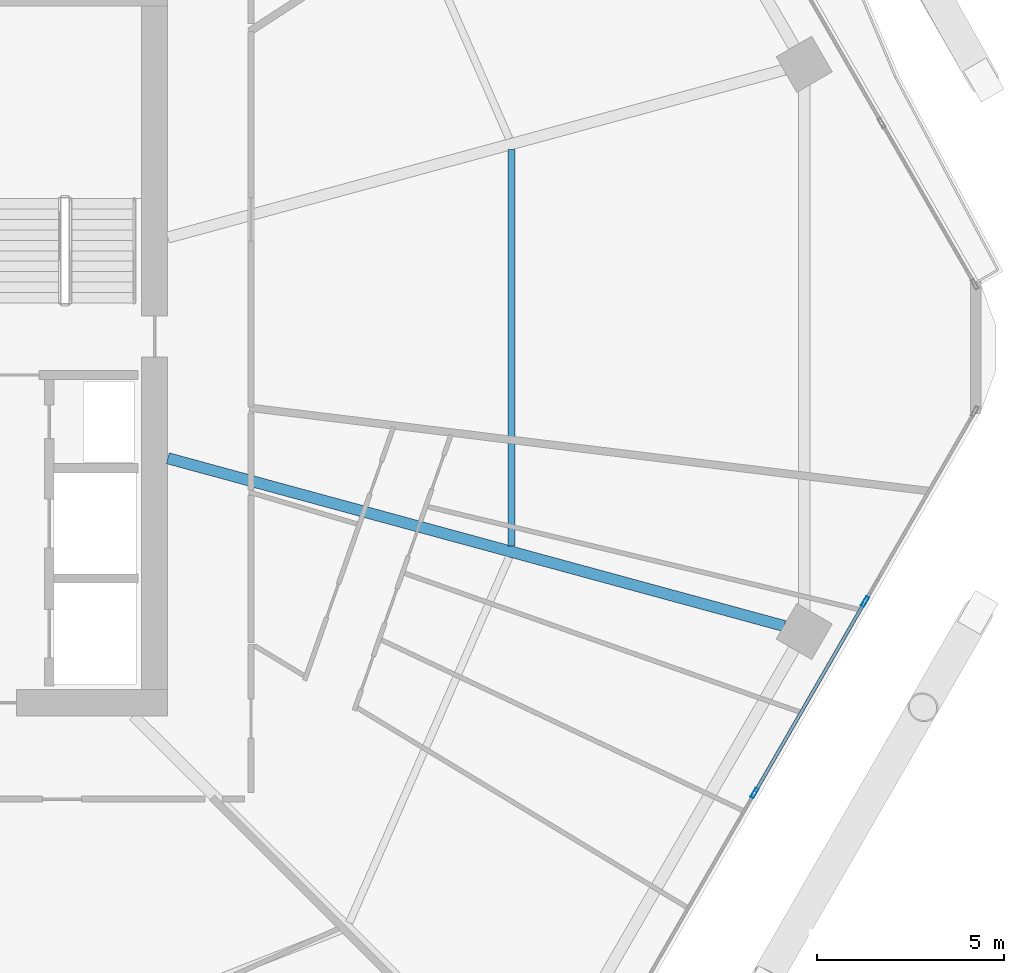
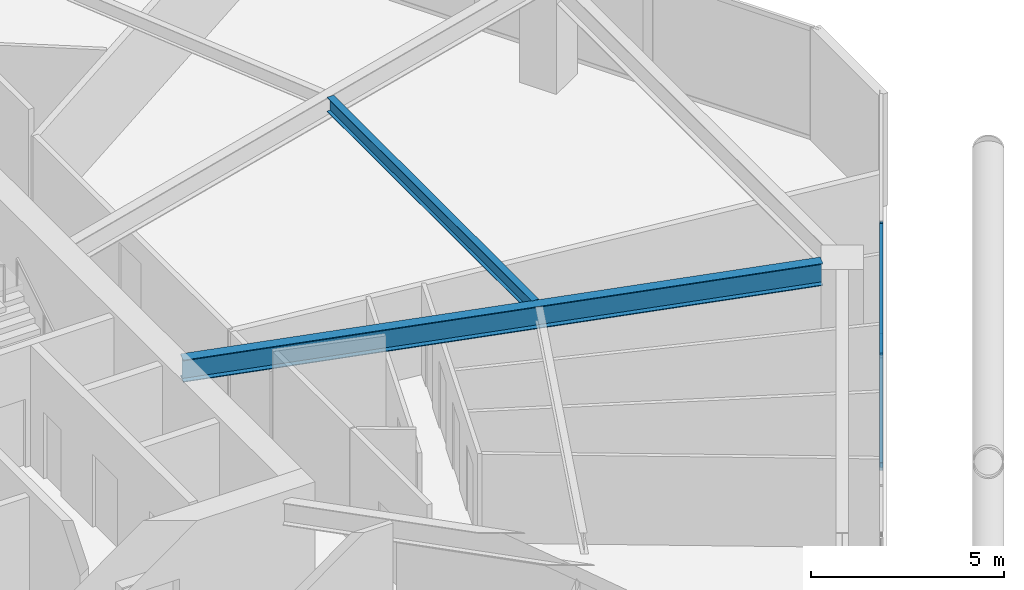
# One storey, part 11 of 35: 4 members, 2 beams, 1 element without a shape of its own.
"""IFC4 building model written with IfcOpenShell, lengths in metres."""

from ifc_helpers import new_model, si_unit, direction, frame, origin, origin_2d, place, context, subcontext, project, spatial, hollow_rectangle, i_section, extrude, material, material_profile, profile_set, type_object, element, aggregate, save


model = new_model("IFC4")

# Units and contexts
model_context = context("Model", 3, precision=1e-05, world=origin(), true_north=direction((0.0, 1.0)))
body_context = subcontext(model_context, "Body", "Model", "MODEL_VIEW")
ifc_project = project(units=[si_unit("LENGTHUNIT", "METRE"), si_unit("AREAUNIT", "SQUARE_METRE"), si_unit("VOLUMEUNIT", "CUBIC_METRE"), si_unit("PLANEANGLEUNIT", "RADIAN"), si_unit("MASSUNIT", "GRAM", prefix="KILO")], contexts=[model_context])

# Site, building, storey
site_placement = place(None, origin())
site = spatial("IfcSite", under=ifc_project, at=site_placement, CompositionType="ELEMENT")
building_placement = place(site_placement, origin())
building = spatial("IfcBuilding", under=site, at=building_placement, Name="Zuhravey Tower", CompositionType="ELEMENT")
storey_placement = place(building_placement, frame((0.0, 0.0, 122.800048828125)))
storey = spatial("IfcBuildingStorey", under=building, at=storey_placement, Name="L30", CompositionType="ELEMENT", Elevation=122.800048828125)

# Curtain wall, members
ifc_material_1 = material(Name="Thermally broken anodised aluminium", Category="aluminium")
curtain_wall_type = type_object("IfcCurtainWallType", Name="Zone 1-2 Residential Curtain Wall CW3", PredefinedType="NOTDEFINED", material=ifc_material_1)
curtain_wall_placement = place(storey_placement, origin())
curtain_wall = element("IfcCurtainWall", 1, at=curtain_wall_placement, inside=storey, type_object=curtain_wall_type, Name="L30 CW3 CW-L30-F6-1", PredefinedType="NOTDEFINED")
ifc_material_2 = material(Name="Anodised aluminium", Category="aluminium")
ifc_material_profile_1 = material_profile(ifc_material_2, hollow_rectangle(XDim=0.090087890625, YDim=0.284912109375, WallThickness=0.0048828125, at=origin_2d()), Name="ALU-RHS-90x285x5")
ifc_profile_set_1 = profile_set([ifc_material_profile_1], Name="Anodised aluminium")
member_type_1 = type_object("IfcMemberType", Name="Curtain-Wall Mullion 90x180", PredefinedType="MULLION", material=ifc_profile_set_1)
member_1_placement = place(storey_placement, frame((65.5185546875, 25.210693359375, 0.0), z_axis=(0.0, 0.0, 1.0), x_axis=(0.86602552265, -0.499999794119, 0.0)))
member_1 = element("IfcMember", 2, at=member_1_placement, type_object=member_type_1, Name="CW3 mullion 2", PredefinedType="MULLION", context=body_context, shape_type="SweptSolid", body=[
    extrude(hollow_rectangle(XDim=0.090087890625, YDim=0.284912109375, WallThickness=0.0048828125, at=origin_2d()), origin(), (0.0, 0.0, 1.0), 3.550048828125),
])
member_2_placement = place(storey_placement, frame((62.55859375, 20.083984375, 0.0), z_axis=(0.0, 0.0, 1.0), x_axis=(0.86602552265, -0.499999794119, 0.0)))
member_2 = element("IfcMember", 3, at=member_2_placement, type_object=member_type_1, Name="CW3 mullion 3", PredefinedType="MULLION", context=body_context, shape_type="SweptSolid", body=[
    extrude(hollow_rectangle(XDim=0.090087890625, YDim=0.284912109375, WallThickness=0.0048828125, at=origin_2d()), origin(), (0.0, 0.0, 1.0), 3.550048828125),
])
ifc_material_profile_2 = material_profile(ifc_material_2, hollow_rectangle(XDim=0.090087890625, YDim=0.14990234375, WallThickness=0.0048828125, at=origin_2d()), Name="ALU-RHS-90x150x5")
ifc_profile_set_2 = profile_set([ifc_material_profile_2], Name="Anodised aluminium")
member_type_2 = type_object("IfcMemberType", Name="Curtain-Wall Transom 90x150", PredefinedType="USERDEFINED", material=ifc_profile_set_2)
member_3_placement = place(storey_placement, frame((65.49609375, 25.171875, 0.044921875), z_axis=(-0.499981042766, -0.866036348472, 0.0), x_axis=(0.866036348472, -0.499981042766, 0.0)))
member_3 = element("IfcMember", 4, at=member_3_placement, type_object=member_type_2, Name="CW3 transom 2.1", ObjectType="TRANSOM", PredefinedType="USERDEFINED", context=body_context, shape_type="SweptSolid", body=[
    extrude(hollow_rectangle(XDim=0.090087890625, YDim=0.14990234375, WallThickness=0.0048828125, at=origin_2d()), origin(), (0.0, 0.0, 1.0), 5.829833984375),
])
member_4_placement = place(storey_placement, frame((65.49609375, 25.171875, 3.5048828125), z_axis=(-0.499981042766, -0.866036348472, 0.0), x_axis=(0.866036348472, -0.499981042766, 0.0)))
member_4 = element("IfcMember", 5, at=member_4_placement, type_object=member_type_2, Name="CW3 transom 2.2", ObjectType="TRANSOM", PredefinedType="USERDEFINED", context=body_context, shape_type="SweptSolid", body=[
    extrude(hollow_rectangle(XDim=0.090087890625, YDim=0.14990234375, WallThickness=0.0048828125, at=origin_2d()), origin(), (0.0, 0.0, 1.0), 5.829833984375),
])
aggregate(curtain_wall, [member_1, member_2, member_3, member_4])

# Beams
ifc_material_3 = material(Name="Steel SM355", Category="steel")
ifc_material_profile_3 = material_profile(ifc_material_3, i_section(OverallWidth=0.300048828125, OverallDepth=0.699951171875, WebThickness=0.012939453125, FlangeThickness=0.02392578125, at=origin_2d()), Name="H-700x300x13x24")
ifc_profile_set_3 = profile_set([ifc_material_profile_3], Name="Steel SM355")
beam_type_1 = type_object("IfcBeamType", Name="Radial Primary Girder H700x300", PredefinedType="BEAM", material=ifc_profile_set_3)
beam_1_placement = place(storey_placement, frame((46.85302734375, 29.045654296875, 3.199951171875), z_axis=(0.964893166225, -0.262642680791, 0.0), x_axis=(0.262642680791, 0.964893166225, 0.0)))
element("IfcBeam", 6, at=beam_1_placement, inside=storey, type_object=beam_type_1, Name="L30 RG1 BM-L30-RAD-12", PredefinedType="BEAM", context=body_context, shape_type="SweptSolid", body=[
    extrude(i_section(OverallWidth=0.300048828125, OverallDepth=0.699951171875, WebThickness=0.012939453125, FlangeThickness=0.02392578125, at=origin_2d()), origin(), (0.0, 0.0, 1.0), 17.102783203125),
])
ifc_material_profile_4 = material_profile(ifc_material_3, i_section(OverallWidth=0.199951171875, OverallDepth=0.449951171875, WebThickness=0.009033203125, FlangeThickness=0.013916015625, at=origin_2d()), Name="H-450x200x9x14")
ifc_profile_set_4 = profile_set([ifc_material_profile_4], Name="Steel SM355")
beam_type_2 = type_object("IfcBeamType", Name="Secondary Floor Joist H450x200", PredefinedType="JOIST", material=ifc_profile_set_4)
beam_2_placement = place(storey_placement, frame((56.052490234375, 26.695556640625, 3.324951171875), z_axis=(0.0, 1.0, 0.0), x_axis=(-1.0, 0.0, 0.0)))
element("IfcBeam", 7, at=beam_2_placement, inside=storey, type_object=beam_type_2, Name="L30 SJ1 BM-L30-SJ-12-1", PredefinedType="JOIST", context=body_context, shape_type="SweptSolid", body=[
    extrude(i_section(OverallWidth=0.199951171875, OverallDepth=0.449951171875, WebThickness=0.009033203125, FlangeThickness=0.013916015625, at=origin_2d()), origin(), (0.0, 0.0, 1.0), 10.60888671875),
])

save(model, "model.ifc")
